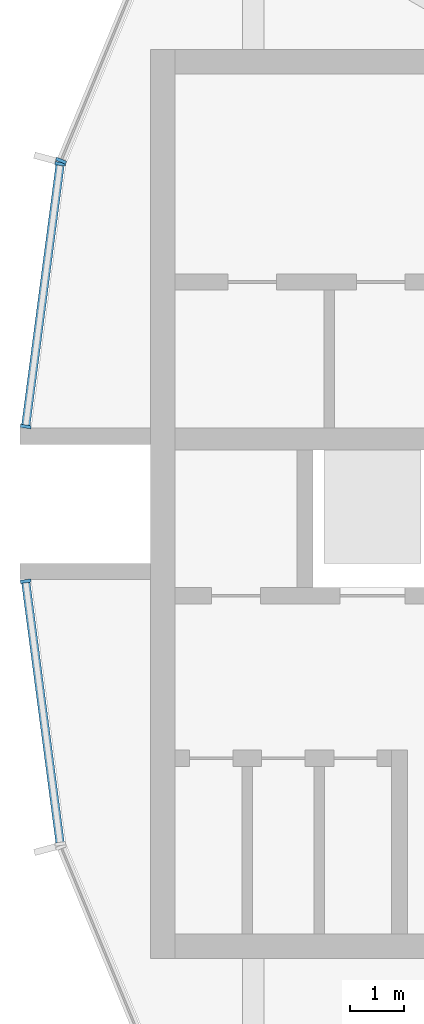
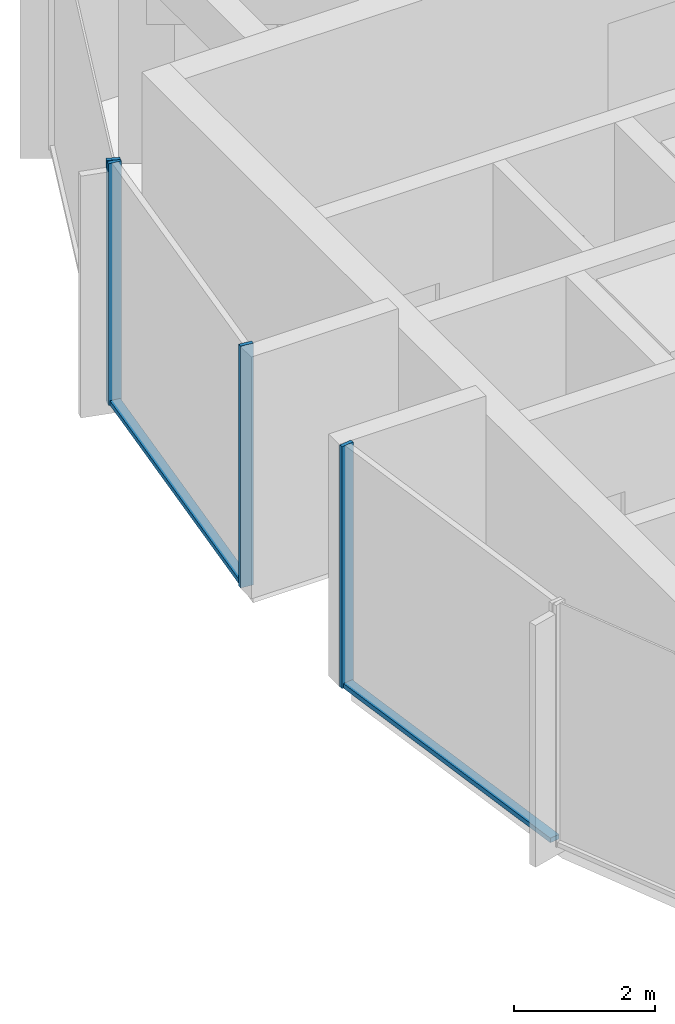
# One storey, part 3 of 14: 6 members, 3 elements without a shape of their own.
"""IFC4 building model written with IfcOpenShell, lengths in metres."""

from ifc_helpers import new_model, si_unit, direction, frame, origin, origin_2d, place, context, subcontext, project, spatial, rectangle, extrude, material, layer, layer_set, material_profile, profile_set, type_object, element, aggregate, save


model = new_model("IFC4")

# Units and contexts
model_context = context("Model", 3, precision=1e-05, world=origin(), true_north=direction((0.0, 1.0)))
body_context = subcontext(model_context, "Body", "Model", "MODEL_VIEW")
ifc_project = project(units=[si_unit("LENGTHUNIT", "METRE"), si_unit("AREAUNIT", "SQUARE_METRE"), si_unit("VOLUMEUNIT", "CUBIC_METRE"), si_unit("PLANEANGLEUNIT", "RADIAN"), si_unit("MASSUNIT", "GRAM", prefix="KILO")], contexts=[model_context])

# Site, building, storey
site_placement = place(None, origin())
site = spatial("IfcSite", under=ifc_project, at=site_placement, CompositionType="ELEMENT")
building_placement = place(site_placement, origin())
building = spatial("IfcBuilding", under=site, at=building_placement, Name="Torre Brocal", CompositionType="ELEMENT")
storey_placement = place(building_placement, frame((0.0, 0.0, 288.300048828125)))
storey = spatial("IfcBuildingStorey", under=building, at=storey_placement, Name="L66", CompositionType="ELEMENT", Elevation=288.300048828125)

# Curtain wall, member
ifc_material_1 = material(Name="Aluminium and glass", Category="aluminium")
ifc_layer_1 = layer(ifc_material_1, 0.199951171875)
ifc_layer_set_1 = layer_set([ifc_layer_1], Name="Aluminium and glass")
curtain_wall_type_1 = type_object("IfcCurtainWallType", Name="CW-1 CURTAIN WALL 4200 HIGH", PredefinedType="NOTDEFINED", material=ifc_layer_set_1)
curtain_wall_1_placement = place(storey_placement, origin())
curtain_wall_1 = element("IfcCurtainWall", 1, at=curtain_wall_1_placement, inside=storey, type_object=curtain_wall_type_1, Name="CW-1 RUN 11", PredefinedType="NOTDEFINED")
ifc_material_2 = material(Name="Aluminium, dark anodised", Category="aluminium")
ifc_material_profile_1 = material_profile(ifc_material_2, rectangle(XDim=0.199951171875, YDim=0.06005859375, at=origin_2d()), Name="CW-1 MULLION 60X200")
ifc_profile_set_1 = profile_set([ifc_material_profile_1], Name="Aluminium, dark anodised")
member_type_1 = type_object("IfcMemberType", Name="CW-1 MULLION 60X200", PredefinedType="MULLION", material=ifc_profile_set_1)
member_1_placement = place(storey_placement, frame((56.443603515625, 81.3427734375, 0.0), z_axis=(0.0, 0.0, 1.0), x_axis=(0.923879532471, -0.382683432462, 0.0)))
member_1 = element("IfcMember", 2, at=member_1_placement, type_object=member_type_1, Name="CW1-5 mullion 2", PredefinedType="MULLION", context=body_context, shape_type="SweptSolid", body=[
    extrude(rectangle(XDim=0.199951171875, YDim=0.06005859375, at=origin_2d()), origin(), (0.0, 0.0, 1.0), 4.199951171875),
])
aggregate(curtain_wall_1, [member_1])

# Curtain wall, members
ifc_material_3 = material(Name="Aluminium and glass", Category="aluminium")
ifc_layer_2 = layer(ifc_material_3, 0.199951171875)
ifc_layer_set_2 = layer_set([ifc_layer_2], Name="Aluminium and glass")
curtain_wall_type_2 = type_object("IfcCurtainWallType", Name="CW-1B CURTAIN WALL 4200 HIGH", PredefinedType="NOTDEFINED", material=ifc_layer_set_2)
curtain_wall_2_placement = place(storey_placement, origin())
curtain_wall_2 = element("IfcCurtainWall", 3, at=curtain_wall_2_placement, inside=storey, type_object=curtain_wall_type_2, Name="CW-1B RUN 12", PredefinedType="NOTDEFINED")
ifc_material_4 = material(Name="Aluminium, dark anodised", Category="aluminium")
ifc_material_profile_2 = material_profile(ifc_material_4, rectangle(XDim=0.199951171875, YDim=0.06005859375, at=origin_2d()), Name="CW-1B MULLION 60X200")
ifc_profile_set_2 = profile_set([ifc_material_profile_2], Name="Aluminium, dark anodised")
member_type_2 = type_object("IfcMemberType", Name="CW-1B MULLION 60X200", PredefinedType="MULLION", material=ifc_profile_set_2)
member_2_placement = place(storey_placement, frame((56.42822265625, 81.28515625, 0.0), z_axis=(0.0, 0.0, 1.0), x_axis=(0.991444861387, -0.130526192116, 0.0)))
member_2 = element("IfcMember", 4, at=member_2_placement, type_object=member_type_2, Name="CW1B-5 mullion 1", PredefinedType="MULLION", context=body_context, shape_type="SweptSolid", body=[
    extrude(rectangle(XDim=0.199951171875, YDim=0.06005859375, at=origin_2d()), origin(), (0.0, 0.0, 1.0), 4.199951171875),
])
member_3_placement = place(storey_placement, frame((55.7890625, 76.4296875, 0.0), z_axis=(0.0, 0.0, 1.0), x_axis=(0.991444861387, -0.130526192116, 0.0)))
member_3 = element("IfcMember", 5, at=member_3_placement, type_object=member_type_2, Name="CW1B-5 mullion 2", PredefinedType="MULLION", context=body_context, shape_type="SweptSolid", body=[
    extrude(rectangle(XDim=0.199951171875, YDim=0.06005859375, at=origin_2d()), origin(), (0.0, 0.0, 1.0), 4.199951171875),
])

# Curtain wall, member
curtain_wall_3_placement = place(storey_placement, origin())
curtain_wall_3 = element("IfcCurtainWall", 6, at=curtain_wall_3_placement, inside=storey, type_object=curtain_wall_type_2, Name="CW-1B RUN 13", PredefinedType="NOTDEFINED")
member_4_placement = place(storey_placement, frame((55.7890625, 73.5703125, 0.0), z_axis=(0.0, 0.0, 1.0), x_axis=(0.991444861387, 0.130526192116, 0.0)))
member_4 = element("IfcMember", 7, at=member_4_placement, type_object=member_type_2, Name="CW1B-5 mullion 1", PredefinedType="MULLION", context=body_context, shape_type="SweptSolid", body=[
    extrude(rectangle(XDim=0.199951171875, YDim=0.06005859375, at=origin_2d()), origin(), (0.0, 0.0, 1.0), 4.199951171875),
])

# Member
ifc_material_5 = material(Name="Aluminium, dark anodised", Category="aluminium")
ifc_material_profile_3 = material_profile(ifc_material_5, rectangle(XDim=0.159912109375, YDim=0.080078125, at=origin_2d()), Name="CW-1B TRANSOM 160X80")
ifc_profile_set_3 = profile_set([ifc_material_profile_3], Name="Aluminium, dark anodised")
member_type_3 = type_object("IfcMemberType", Name="CW-1B TRANSOM 160X80", PredefinedType="USERDEFINED", material=ifc_profile_set_3)
member_5_placement = place(storey_placement, frame((56.42431640625, 81.25537109375, 0.0400390625), z_axis=(-0.130517179786, -0.991446047842, 0.0), x_axis=(0.991446047842, -0.130517179786, 0.0)))
member_5 = element("IfcMember", 8, at=member_5_placement, type_object=member_type_3, Name="CW1B-5 transom 1.1", ObjectType="TRANSOM", PredefinedType="USERDEFINED", context=body_context, shape_type="SweptSolid", body=[
    extrude(rectangle(XDim=0.159912109375, YDim=0.080078125, at=origin_2d()), origin(), (0.0, 0.0, 1.0), 4.837158203125),
])

aggregate(curtain_wall_2, [member_2, member_3, member_5])

member_6_placement = place(storey_placement, frame((55.79296875, 73.54052734375, 0.0400390625), z_axis=(0.130517179786, -0.991446047842, 0.0), x_axis=(0.991446047842, 0.130517179786, 0.0)))
member_6 = element("IfcMember", 9, at=member_6_placement, type_object=member_type_3, Name="CW1B-5 transom 1.1", ObjectType="TRANSOM", PredefinedType="USERDEFINED", context=body_context, shape_type="SweptSolid", body=[
    extrude(rectangle(XDim=0.159912109375, YDim=0.080078125, at=origin_2d()), origin(), (0.0, 0.0, 1.0), 4.837158203125),
])

aggregate(curtain_wall_3, [member_4, member_6])

save(model, "model.ifc")
